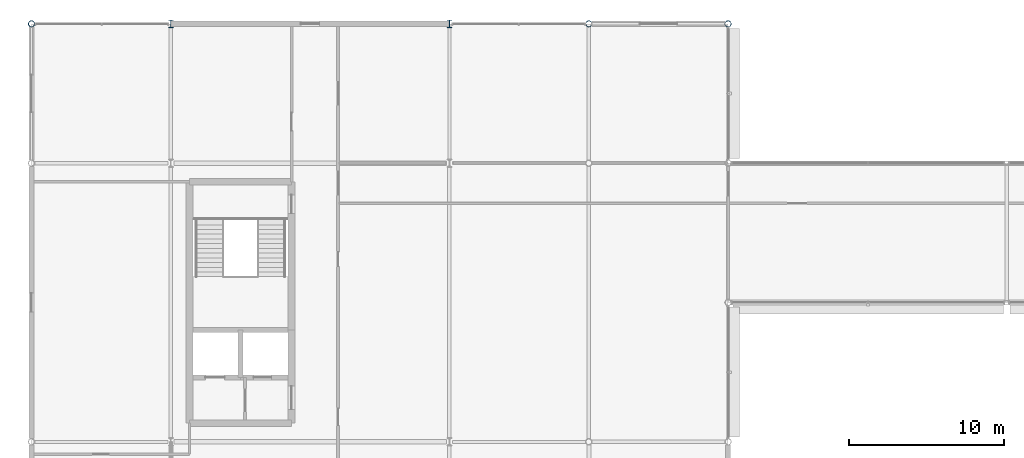
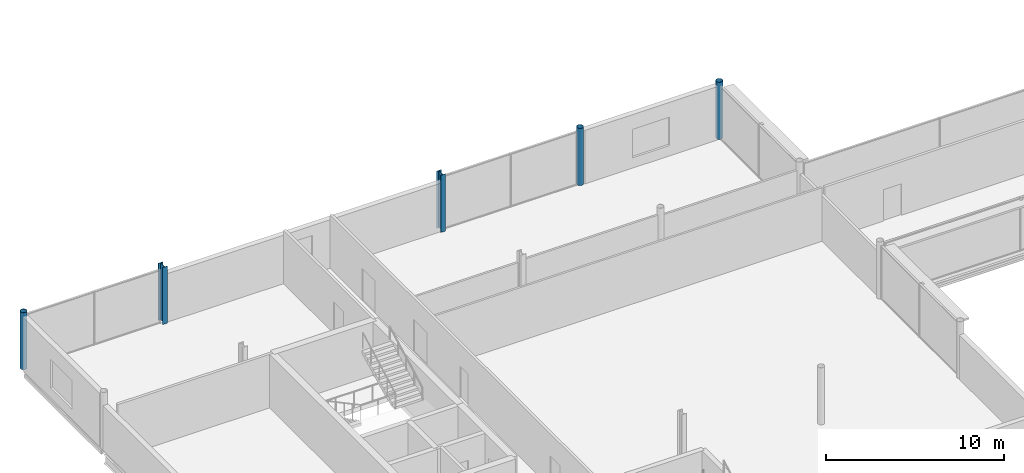
# One storey, part 7 of 96: 5 columns.
"""IFC4 building model written with IfcOpenShell, lengths in metres."""

import ifcopenshell
import ifcopenshell.guid

model = None  # the IFC model being written
_history = None  # IfcOwnerHistory: only IFC2X3 demands one
_inside = {}  # id of a spatial element -> (the spatial element, [elements in it])
_under = {}  # id of a project, library or spatial element -> (it, [spatial elements below it])
_declared = {}  # id of a project -> (the project, [libraries it declares])
_typed = {}  # id of a type object -> (the type object, [elements of that type])
_made_of = {}  # id of a material, layer set ... -> (it, [elements and type objects made of it])


def new_model(schema):
    """Start an empty IFC model of exactly this schema.

    Asked for "IFC4X3", IfcOpenShell would pick the latest addendum, in which some entities
    have other attributes; the version numbers below select the first issue.
    IFC2X3 requires an IfcOwnerHistory on every rooted entity: one is made here for all.
    """
    global model, _history
    if schema == "IFC4X3":
        model = ifcopenshell.file(schema_version=(4, 3, 0, 0))
    else:
        model = ifcopenshell.file(schema=schema)
    _inside.clear()
    _under.clear()
    _declared.clear()
    _typed.clear()
    _made_of.clear()
    _history = None
    if model.schema == "IFC2X3":
        org = make("IfcOrganization", Name="unknown")
        user = make(
            "IfcPersonAndOrganization",
            ThePerson=make("IfcPerson", FamilyName="unknown"),
            TheOrganization=org,
        )
        app = make(
            "IfcApplication",
            ApplicationDeveloper=org,
            Version="unknown",
            ApplicationFullName="unknown",
            ApplicationIdentifier="unknown",
        )
        _history = make(
            "IfcOwnerHistory",
            OwningUser=user,
            OwningApplication=app,
            ChangeAction="ADDED",
            CreationDate=0,
        )
    return model


def make(cls, **values):
    """One entity of the class cls with the attributes given. An attribute that is None is left unset."""
    return model.create_entity(
        cls, **{name: value for name, value in values.items() if value is not None}
    )


def rooted(cls, **values):
    """An entity with a GlobalId (a new one), such as an element, a storey or a relation."""
    return make(cls, GlobalId=ifcopenshell.guid.new(), OwnerHistory=_history, **values)


def si_unit(unit_type, name, prefix=None):
    """IfcSIUnit, for example si_unit("LENGTHUNIT", "METRE", prefix="MILLI")."""
    return make("IfcSIUnit", UnitType=unit_type, Prefix=prefix, Name=name)


def assignment(units):
    """IfcUnitAssignment: the units of a project."""
    return None if units is None else make("IfcUnitAssignment", Units=units)


def point(xyz):
    """IfcCartesianPoint."""
    return None if xyz is None else make("IfcCartesianPoint", Coordinates=xyz)


def direction(xyz):
    """IfcDirection."""
    return None if xyz is None else make("IfcDirection", DirectionRatios=xyz)


def frame(location, z_axis=None, x_axis=None):
    """IfcAxis2Placement3D, a coordinate frame: its origin and axes. An axis left out is left unset."""
    return make(
        "IfcAxis2Placement3D",
        Location=point(location),
        Axis=direction(z_axis),
        RefDirection=direction(x_axis),
    )


def frame_2d(location, x_axis=None):
    """IfcAxis2Placement2D, a coordinate frame in the plane: its origin and x axis."""
    return make(
        "IfcAxis2Placement2D", Location=point(location), RefDirection=direction(x_axis)
    )


def origin():
    """The frame at (0, 0, 0) with its axes left unset."""
    return frame((0.0, 0.0, 0.0))


def origin_2d():
    """The frame at (0, 0) in the plane with its x axis left unset."""
    return frame_2d((0.0, 0.0))


def place(relative_to, where):
    """IfcLocalPlacement: puts the frame where relative to a parent placement (None: the world)."""
    return make(
        "IfcLocalPlacement", PlacementRelTo=relative_to, RelativePlacement=where
    )


def context(
    kind, dimensions, precision=None, world=None, true_north=None, identifier=None
):
    """IfcGeometricRepresentationContext, for example the 3D "Model" context."""
    return make(
        "IfcGeometricRepresentationContext",
        ContextIdentifier=identifier,
        ContextType=kind,
        CoordinateSpaceDimension=dimensions,
        Precision=precision,
        WorldCoordinateSystem=world,
        TrueNorth=true_north,
    )


def subcontext(parent, identifier, kind, view, scale=None):
    """IfcGeometricRepresentationSubContext, for example "Body" below "Model"."""
    return make(
        "IfcGeometricRepresentationSubContext",
        ContextIdentifier=identifier,
        ContextType=kind,
        ParentContext=parent,
        TargetScale=scale,
        TargetView=view,
    )


def project(units=None, contexts=None):
    """IfcProject with its units and contexts."""
    return rooted(
        "IfcProject",
        Name="project",
        RepresentationContexts=contexts,
        UnitsInContext=assignment(units),
    )


def spatial(cls, under=None, at=None, **own):
    """A site, building, storey or space (cls), placed at a placement, below another one or the project."""
    s = rooted(cls, ObjectPlacement=at, **own)
    if under is not None:
        _under.setdefault(under.id(), (under, []))[1].append(s)
    return s


def profile(cls, at=None, kind="AREA", **sizes):
    """A parametric profile (cls). Its sizes go by their IFC names, for example OverallWidth=200.0."""
    return make(cls, ProfileType=kind, Position=at, **sizes)


def hollow_circle(**sizes):
    """IfcCircleHollowProfileDef."""
    return profile("IfcCircleHollowProfileDef", **sizes)


def i_section(**sizes):
    """IfcIShapeProfileDef."""
    return profile("IfcIShapeProfileDef", **sizes)


def extrude(swept, where, along, depth):
    """IfcExtrudedAreaSolid: the profile swept, set in the frame where, extruded along a direction by depth."""
    return make(
        "IfcExtrudedAreaSolid",
        SweptArea=swept,
        Position=where,
        ExtrudedDirection=direction(along),
        Depth=depth,
    )


def shape(context_of_items, identifier, shape_type, items):
    """IfcShapeRepresentation: the items that make up one representation, for example the "Body"."""
    return make(
        "IfcShapeRepresentation",
        ContextOfItems=context_of_items,
        RepresentationIdentifier=identifier,
        RepresentationType=shape_type,
        Items=items,
    )


def material(Name=None, Category=None):
    """IfcMaterial."""
    return make("IfcMaterial", Name=Name, Category=Category)


def material_profile(
    of_material, cross_section, Name=None, Category=None, Priority=None
):
    """IfcMaterialProfile: a cross section and its material."""
    return make(
        "IfcMaterialProfile",
        Name=Name,
        Material=of_material,
        Profile=cross_section,
        Priority=Priority,
        Category=Category,
    )


def profile_set(profiles, Name=None, composite=None):
    """IfcMaterialProfileSet."""
    return make(
        "IfcMaterialProfileSet",
        Name=Name,
        MaterialProfiles=profiles,
        CompositeProfile=composite,
    )


def made_of(thing, what):
    """Note that an element or type object is made of a material, layer set ...; save() writes the relation."""
    if what is not None:
        _made_of.setdefault(what.id(), (what, []))[1].append(thing)
    return thing


def type_object(cls, material=None, **own):
    """A type object (cls), such as IfcWallType, which elements share."""
    return made_of(rooted(cls, **own), material)


def element(
    cls,
    number,
    at=None,
    inside=None,
    cuts=None,
    type_object=None,
    material=None,
    context=None,
    identifier="Body",
    shape_type=None,
    held_by="IfcProductDefinitionShape",
    body=None,
    shapes=None,
    **own,
):
    """One element of the class cls, such as IfcWall. Its Tag is "e" and its number.

    at: its placement. inside: the storey or other place that contains it. cuts: it is an
    opening in that element (IfcRelVoidsElement). A single representation is given by context,
    identifier, shape_type and body (its items); several are given by shapes. held_by: the class
    of the entity that holds the representations. save() writes the other relations.
    """
    e = rooted(cls, Tag="e%d" % number, ObjectPlacement=at, **own)
    if body is not None:
        shapes = [shape(context, identifier, shape_type, body)]
    if shapes is not None:
        e.Representation = make(held_by, Representations=shapes)
    if inside is not None:
        _inside.setdefault(inside.id(), (inside, []))[1].append(e)
    if cuts is not None:
        rooted(
            "IfcRelVoidsElement", RelatingBuildingElement=cuts, RelatedOpeningElement=e
        )
    if type_object is not None:
        _typed.setdefault(type_object.id(), (type_object, []))[1].append(e)
    return made_of(e, material)


def aggregate(whole, parts):
    """IfcRelAggregates: a whole, such as a stair, and the parts it consists of."""
    return rooted("IfcRelAggregates", RelatingObject=whole, RelatedObjects=parts)


def save(model, path):
    """Write the relations noted so far, then the file.

    IfcRelAggregates (storeys below a building ...), IfcRelContainedInSpatialStructure (elements
    in a storey), IfcRelDefinesByType, IfcRelAssociatesMaterial and IfcRelDeclares: one each for
    every whole, place, type object, material and project.
    """
    for whole, parts in _under.values():
        aggregate(whole, parts)
    for where, things in _inside.values():
        rooted(
            "IfcRelContainedInSpatialStructure",
            RelatedElements=things,
            RelatingStructure=where,
        )
    for kind, things in _typed.values():
        rooted("IfcRelDefinesByType", RelatedObjects=things, RelatingType=kind)
    for what, things in _made_of.values():
        rooted("IfcRelAssociatesMaterial", RelatedObjects=things, RelatingMaterial=what)
    for by, libraries in _declared.values():
        rooted("IfcRelDeclares", RelatingContext=by, RelatedDefinitions=libraries)
    model.write(path)


model = new_model("IFC4")

# Units and contexts
model_context = context("Model", 3, precision=1e-05, world=origin(), true_north=direction((0.0, 1.0)))
body_context = subcontext(model_context, "Body", "Model", "MODEL_VIEW")
ifc_project = project(units=[si_unit("LENGTHUNIT", "METRE"), si_unit("AREAUNIT", "SQUARE_METRE"), si_unit("VOLUMEUNIT", "CUBIC_METRE"), si_unit("PLANEANGLEUNIT", "RADIAN"), si_unit("MASSUNIT", "GRAM", prefix="KILO")], contexts=[model_context])

# Site, building, storey
site_placement = place(None, origin())
site = spatial("IfcSite", under=ifc_project, at=site_placement, CompositionType="ELEMENT")
building_placement = place(site_placement, origin())
building = spatial("IfcBuilding", under=site, at=building_placement, Name="Kisiwana Market Hall", CompositionType="ELEMENT")
storey_placement = place(building_placement, frame((0.0, 0.0, 25.5)))
storey = spatial("IfcBuildingStorey", under=building, at=storey_placement, Name="L05", CompositionType="ELEMENT", Elevation=25.5)

# Columns
ifc_material_1 = material(Name="Steel S355", Category="steel")
ifc_material_profile_1 = material_profile(ifc_material_1, hollow_circle(Radius=0.203125, WallThickness=0.01611328125, at=origin_2d()), Name="CHS 406.4x16")
ifc_profile_set_1 = profile_set([ifc_material_profile_1], Name="Steel S355")
column_type_1 = type_object("IfcColumnType", Name="COL-STL-CHS406", PredefinedType="COLUMN", material=ifc_profile_set_1)
for number, where, z_axis, x_axis, name in (
    (1, (0.0, 111.0, 0.0), (0.0, 0.0, 1.0), (1.0, 0.0, 0.0), "Column P/1 (L05) C-0888"),
    (2, (36.0, 111.0, 0.0), (0.0, 0.0, 1.0), (1.0, 0.0, 0.0), "Column P/5 (L05) C-0907"),
    (3, (45.0, 111.0, 0.0), (0.0, 0.0, 1.0), (1.0, 0.0, 0.0), "Column P/6 (L05) C-0916"),
):
    element("IfcColumn", number, at=place(storey_placement, frame(where, z_axis=z_axis, x_axis=x_axis)), inside=storey, type_object=column_type_1, Name=name, PredefinedType="COLUMN", context=body_context, shape_type="SweptSolid", body=[
        extrude(hollow_circle(Radius=0.203125, WallThickness=0.01611328125, at=origin_2d()), origin(), (0.0, 0.0, 1.0), 3.89990234375),
    ])
ifc_material_2 = material(Name="Steel S355", Category="steel")
ifc_material_profile_2 = material_profile(ifc_material_2, i_section(OverallWidth=0.300048828125, OverallDepth=0.5, WebThickness=0.014404296875, FlangeThickness=0.028076171875, FilletRadius=0.027099609375, at=origin_2d()), Name="HEB 500")
ifc_profile_set_2 = profile_set([ifc_material_profile_2], Name="Steel S355")
column_type_2 = type_object("IfcColumnType", Name="COL-STL-HEB500", PredefinedType="COLUMN", material=ifc_profile_set_2)
for number, where, z_axis, x_axis, name in (
    (4, (9.0, 111.0, 0.0), (0.0, 0.0, 1.0), (1.0, 0.0, 0.0), "Column P/2 (L05) C-0894"),
    (5, (27.0, 111.0, 0.0), (0.0, 0.0, 1.0), (1.0, 0.0, 0.0), "Column P/4 (L05) C-0901"),
):
    element("IfcColumn", number, at=place(storey_placement, frame(where, z_axis=z_axis, x_axis=x_axis)), inside=storey, type_object=column_type_2, Name=name, PredefinedType="COLUMN", context=body_context, shape_type="SweptSolid", body=[
        extrude(i_section(OverallWidth=0.300048828125, OverallDepth=0.5, WebThickness=0.014404296875, FlangeThickness=0.028076171875, FilletRadius=0.027099609375, at=origin_2d()), origin(), (0.0, 0.0, 1.0), 3.89990234375),
    ])

save(model, "model.ifc")
